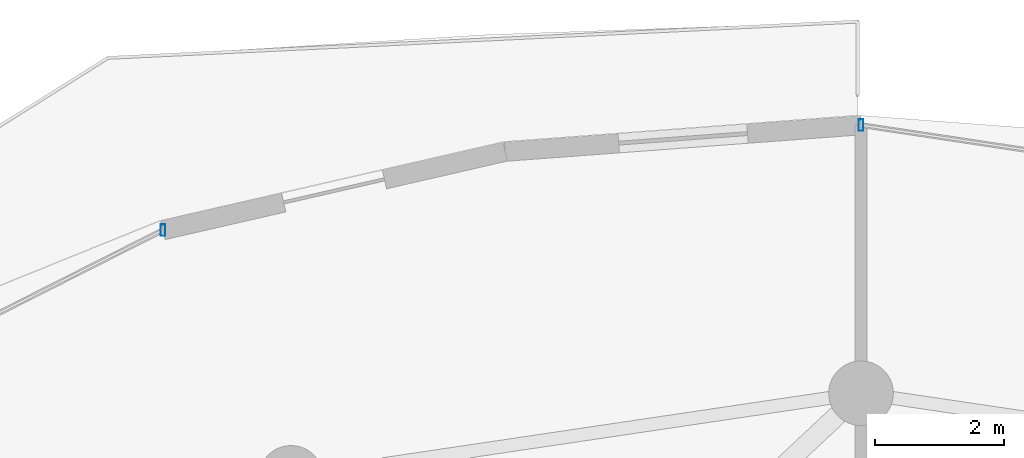
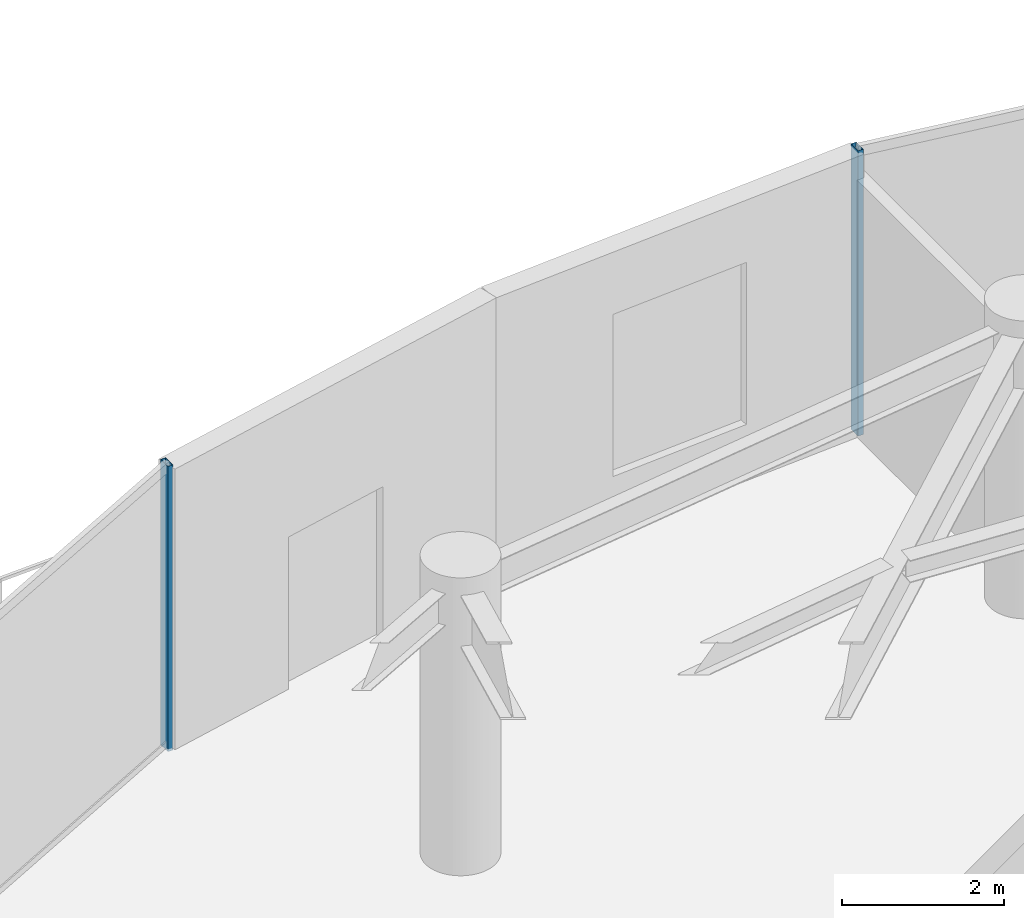
# One storey, part 20 of 31: 2 members, 2 elements without a shape of their own.
"""IFC4 building model written with IfcOpenShell, lengths in metres."""

from ifc_helpers import new_model, si_unit, direction, frame, origin, origin_2d, place, context, subcontext, project, spatial, hollow_rectangle, extrude, material, material_profile, profile_set, type_object, element, aggregate, save


model = new_model("IFC4")

# Units and contexts
model_context = context("Model", 3, precision=1e-05, world=origin(), true_north=direction((0.0, 1.0)))
body_context = subcontext(model_context, "Body", "Model", "MODEL_VIEW")
ifc_project = project(units=[si_unit("LENGTHUNIT", "METRE"), si_unit("AREAUNIT", "SQUARE_METRE"), si_unit("VOLUMEUNIT", "CUBIC_METRE"), si_unit("PLANEANGLEUNIT", "RADIAN"), si_unit("MASSUNIT", "GRAM", prefix="KILO")], contexts=[model_context])

# Site, building, storey
site_placement = place(None, origin())
site = spatial("IfcSite", under=ifc_project, at=site_placement, CompositionType="ELEMENT")
building_placement = place(site_placement, origin())
building = spatial("IfcBuilding", under=site, at=building_placement, Name="Vorneva Point Tower", CompositionType="ELEMENT")
storey_placement = place(building_placement, frame((0.0, 0.0, 174.60009765625)))
storey = spatial("IfcBuildingStorey", under=building, at=storey_placement, Name="L47", CompositionType="ELEMENT", Elevation=174.60009765625)

# Curtain wall, member
ifc_material = material(Name="Pale anodised aluminium", Category="aluminium")
curtain_wall_type = type_object("IfcCurtainWallType", Name="CW-SKY-SYS", PredefinedType="NOTDEFINED", material=ifc_material)
curtain_wall_1_placement = place(storey_placement, origin())
curtain_wall_1 = element("IfcCurtainWall", 1, at=curtain_wall_1_placement, inside=storey, type_object=curtain_wall_type, Name="L47 Unitised Curtain Wall CW-L47-R02", PredefinedType="NOTDEFINED")
ifc_material_profile = material_profile(ifc_material, hollow_rectangle(XDim=0.074951171875, YDim=0.179931640625, WallThickness=0.00390625, at=origin_2d()), Name="AL-MUL 180x75x4")
ifc_profile_set = profile_set([ifc_material_profile], Name="Pale anodised aluminium")
member_type = type_object("IfcMemberType", Name="CW-MUL-180", PredefinedType="MULLION", material=ifc_profile_set)
member_1_placement = place(storey_placement, frame((38.0, 47.35009765625, -0.0400390625), z_axis=(0.0, 0.0, 1.0), x_axis=(1.0, 0.0, 0.0)))
member_1 = element("IfcMember", 2, at=member_1_placement, type_object=member_type, Name="CW-L47-R02 Mullion 03", PredefinedType="MULLION", context=body_context, shape_type="SweptSolid", body=[
    extrude(hollow_rectangle(XDim=0.074951171875, YDim=0.179931640625, WallThickness=0.00390625, at=origin_2d()), origin(), (0.0, 0.0, 1.0), 4.31005859375),
])
aggregate(curtain_wall_1, [member_1])

curtain_wall_2_placement = place(storey_placement, origin())
curtain_wall_2 = element("IfcCurtainWall", 3, at=curtain_wall_2_placement, inside=storey, type_object=curtain_wall_type, Name="L47 Unitised Curtain Wall CW-L47-R03", PredefinedType="NOTDEFINED")
member_2_placement = place(storey_placement, frame((27.19677734375, 45.724853515625, -0.0400390625), z_axis=(0.0, 0.0, 1.0), x_axis=(1.0, 0.0, 0.0)))
member_2 = element("IfcMember", 4, at=member_2_placement, type_object=member_type, Name="CW-L47-R03 Mullion 01", PredefinedType="MULLION", context=body_context, shape_type="SweptSolid", body=[
    extrude(hollow_rectangle(XDim=0.074951171875, YDim=0.179931640625, WallThickness=0.00390625, at=origin_2d()), origin(), (0.0, 0.0, 1.0), 4.31005859375),
])
aggregate(curtain_wall_2, [member_2])

save(model, "model.ifc")
